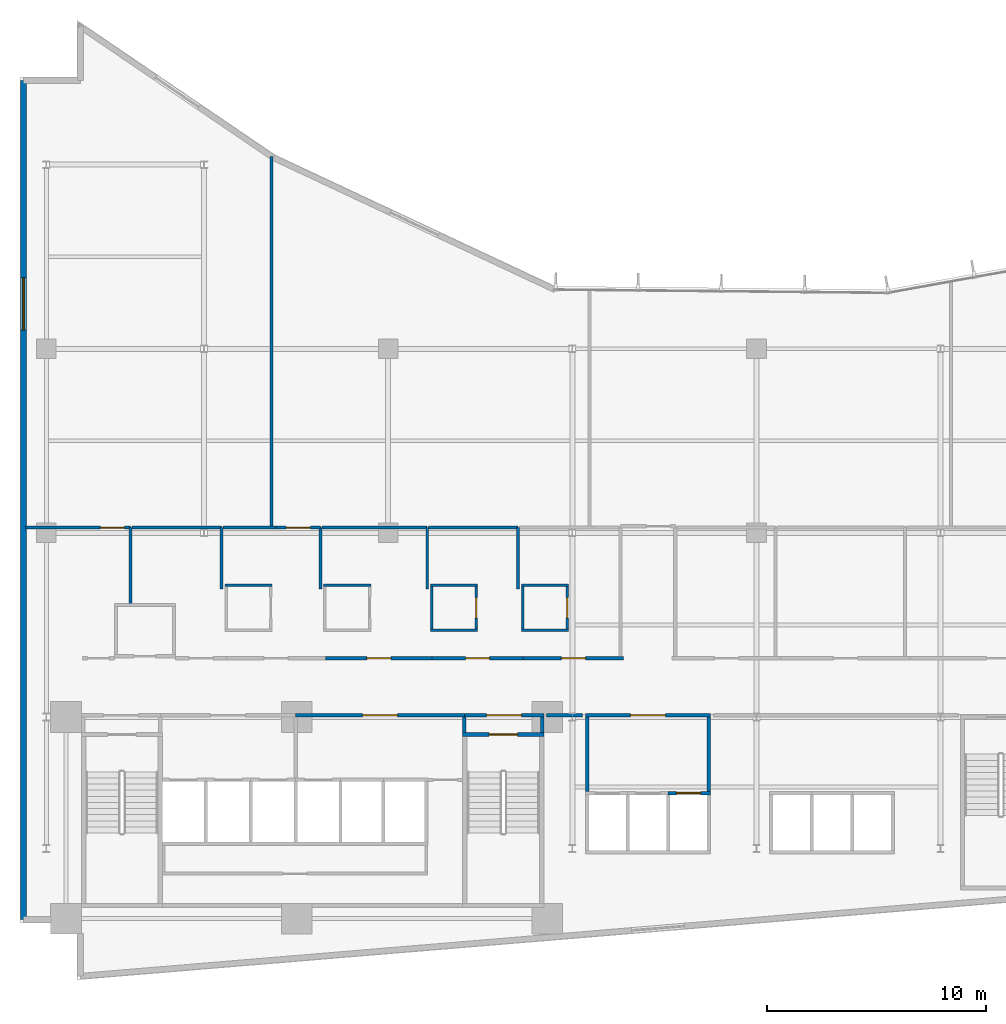
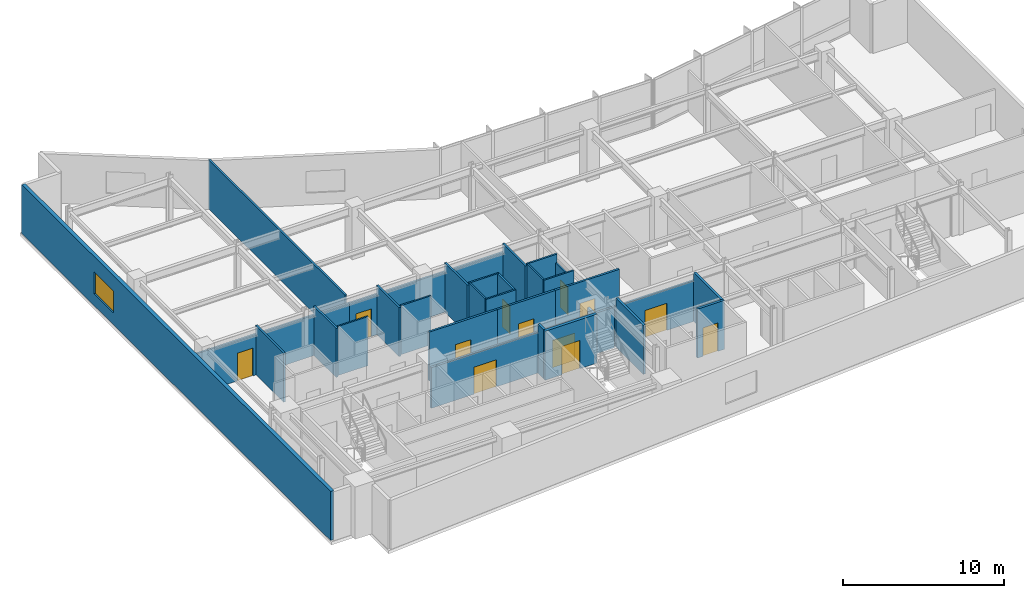
# One storey, part 11 of 18: 36 walls, 12 doors, 1 window, 13 openings.
"""IFC4 building model written with IfcOpenShell, lengths in metres."""

import ifcopenshell
import ifcopenshell.guid

model = None  # the IFC model being written
_history = None  # IfcOwnerHistory: only IFC2X3 demands one
_inside = {}  # id of a spatial element -> (the spatial element, [elements in it])
_under = {}  # id of a project, library or spatial element -> (it, [spatial elements below it])
_declared = {}  # id of a project -> (the project, [libraries it declares])
_typed = {}  # id of a type object -> (the type object, [elements of that type])
_made_of = {}  # id of a material, layer set ... -> (it, [elements and type objects made of it])


def new_model(schema):
    """Start an empty IFC model of exactly this schema.

    Asked for "IFC4X3", IfcOpenShell would pick the latest addendum, in which some entities
    have other attributes; the version numbers below select the first issue.
    IFC2X3 requires an IfcOwnerHistory on every rooted entity: one is made here for all.
    """
    global model, _history
    if schema == "IFC4X3":
        model = ifcopenshell.file(schema_version=(4, 3, 0, 0))
    else:
        model = ifcopenshell.file(schema=schema)
    _inside.clear()
    _under.clear()
    _declared.clear()
    _typed.clear()
    _made_of.clear()
    _history = None
    if model.schema == "IFC2X3":
        org = make("IfcOrganization", Name="unknown")
        user = make(
            "IfcPersonAndOrganization",
            ThePerson=make("IfcPerson", FamilyName="unknown"),
            TheOrganization=org,
        )
        app = make(
            "IfcApplication",
            ApplicationDeveloper=org,
            Version="unknown",
            ApplicationFullName="unknown",
            ApplicationIdentifier="unknown",
        )
        _history = make(
            "IfcOwnerHistory",
            OwningUser=user,
            OwningApplication=app,
            ChangeAction="ADDED",
            CreationDate=0,
        )
    return model


def make(cls, **values):
    """One entity of the class cls with the attributes given. An attribute that is None is left unset."""
    return model.create_entity(
        cls, **{name: value for name, value in values.items() if value is not None}
    )


def rooted(cls, **values):
    """An entity with a GlobalId (a new one), such as an element, a storey or a relation."""
    return make(cls, GlobalId=ifcopenshell.guid.new(), OwnerHistory=_history, **values)


def si_unit(unit_type, name, prefix=None):
    """IfcSIUnit, for example si_unit("LENGTHUNIT", "METRE", prefix="MILLI")."""
    return make("IfcSIUnit", UnitType=unit_type, Prefix=prefix, Name=name)


def assignment(units):
    """IfcUnitAssignment: the units of a project."""
    return None if units is None else make("IfcUnitAssignment", Units=units)


def point(xyz):
    """IfcCartesianPoint."""
    return None if xyz is None else make("IfcCartesianPoint", Coordinates=xyz)


def direction(xyz):
    """IfcDirection."""
    return None if xyz is None else make("IfcDirection", DirectionRatios=xyz)


def frame(location, z_axis=None, x_axis=None):
    """IfcAxis2Placement3D, a coordinate frame: its origin and axes. An axis left out is left unset."""
    return make(
        "IfcAxis2Placement3D",
        Location=point(location),
        Axis=direction(z_axis),
        RefDirection=direction(x_axis),
    )


def frame_2d(location, x_axis=None):
    """IfcAxis2Placement2D, a coordinate frame in the plane: its origin and x axis."""
    return make(
        "IfcAxis2Placement2D", Location=point(location), RefDirection=direction(x_axis)
    )


def origin():
    """The frame at (0, 0, 0) with its axes left unset."""
    return frame((0.0, 0.0, 0.0))


def place(relative_to, where):
    """IfcLocalPlacement: puts the frame where relative to a parent placement (None: the world)."""
    return make(
        "IfcLocalPlacement", PlacementRelTo=relative_to, RelativePlacement=where
    )


def context(
    kind, dimensions, precision=None, world=None, true_north=None, identifier=None
):
    """IfcGeometricRepresentationContext, for example the 3D "Model" context."""
    return make(
        "IfcGeometricRepresentationContext",
        ContextIdentifier=identifier,
        ContextType=kind,
        CoordinateSpaceDimension=dimensions,
        Precision=precision,
        WorldCoordinateSystem=world,
        TrueNorth=true_north,
    )


def subcontext(parent, identifier, kind, view, scale=None):
    """IfcGeometricRepresentationSubContext, for example "Body" below "Model"."""
    return make(
        "IfcGeometricRepresentationSubContext",
        ContextIdentifier=identifier,
        ContextType=kind,
        ParentContext=parent,
        TargetScale=scale,
        TargetView=view,
    )


def project(units=None, contexts=None):
    """IfcProject with its units and contexts."""
    return rooted(
        "IfcProject",
        Name="project",
        RepresentationContexts=contexts,
        UnitsInContext=assignment(units),
    )


def spatial(cls, under=None, at=None, **own):
    """A site, building, storey or space (cls), placed at a placement, below another one or the project."""
    s = rooted(cls, ObjectPlacement=at, **own)
    if under is not None:
        _under.setdefault(under.id(), (under, []))[1].append(s)
    return s


def profile(cls, at=None, kind="AREA", **sizes):
    """A parametric profile (cls). Its sizes go by their IFC names, for example OverallWidth=200.0."""
    return make(cls, ProfileType=kind, Position=at, **sizes)


def rectangle(**sizes):
    """IfcRectangleProfileDef."""
    return profile("IfcRectangleProfileDef", **sizes)


def extrude(swept, where, along, depth):
    """IfcExtrudedAreaSolid: the profile swept, set in the frame where, extruded along a direction by depth."""
    return make(
        "IfcExtrudedAreaSolid",
        SweptArea=swept,
        Position=where,
        ExtrudedDirection=direction(along),
        Depth=depth,
    )


def shape(context_of_items, identifier, shape_type, items):
    """IfcShapeRepresentation: the items that make up one representation, for example the "Body"."""
    return make(
        "IfcShapeRepresentation",
        ContextOfItems=context_of_items,
        RepresentationIdentifier=identifier,
        RepresentationType=shape_type,
        Items=items,
    )


def material(Name=None, Category=None):
    """IfcMaterial."""
    return make("IfcMaterial", Name=Name, Category=Category)


def layer(
    of_material, thickness, ventilated=None, Name=None, Category=None, Priority=None
):
    """IfcMaterialLayer: one layer of a wall or slab, of a material (None: an air gap)."""
    return make(
        "IfcMaterialLayer",
        Material=of_material,
        LayerThickness=thickness,
        IsVentilated=ventilated,
        Name=Name,
        Category=Category,
        Priority=Priority,
    )


def layer_set(layers, Name=None):
    """IfcMaterialLayerSet."""
    return make("IfcMaterialLayerSet", MaterialLayers=layers, LayerSetName=Name)


def made_of(thing, what):
    """Note that an element or type object is made of a material, layer set ...; save() writes the relation."""
    if what is not None:
        _made_of.setdefault(what.id(), (what, []))[1].append(thing)
    return thing


def type_object(cls, material=None, **own):
    """A type object (cls), such as IfcWallType, which elements share."""
    return made_of(rooted(cls, **own), material)


def element(
    cls,
    number,
    at=None,
    inside=None,
    cuts=None,
    type_object=None,
    material=None,
    context=None,
    identifier="Body",
    shape_type=None,
    held_by="IfcProductDefinitionShape",
    body=None,
    shapes=None,
    **own,
):
    """One element of the class cls, such as IfcWall. Its Tag is "e" and its number.

    at: its placement. inside: the storey or other place that contains it. cuts: it is an
    opening in that element (IfcRelVoidsElement). A single representation is given by context,
    identifier, shape_type and body (its items); several are given by shapes. held_by: the class
    of the entity that holds the representations. save() writes the other relations.
    """
    e = rooted(cls, Tag="e%d" % number, ObjectPlacement=at, **own)
    if body is not None:
        shapes = [shape(context, identifier, shape_type, body)]
    if shapes is not None:
        e.Representation = make(held_by, Representations=shapes)
    if inside is not None:
        _inside.setdefault(inside.id(), (inside, []))[1].append(e)
    if cuts is not None:
        rooted(
            "IfcRelVoidsElement", RelatingBuildingElement=cuts, RelatedOpeningElement=e
        )
    if type_object is not None:
        _typed.setdefault(type_object.id(), (type_object, []))[1].append(e)
    return made_of(e, material)


def fill(opening, filler):
    """IfcRelFillsElement: the door or window that sits in an opening."""
    return rooted(
        "IfcRelFillsElement",
        RelatingOpeningElement=opening,
        RelatedBuildingElement=filler,
    )


def aggregate(whole, parts):
    """IfcRelAggregates: a whole, such as a stair, and the parts it consists of."""
    return rooted("IfcRelAggregates", RelatingObject=whole, RelatedObjects=parts)


def save(model, path):
    """Write the relations noted so far, then the file.

    IfcRelAggregates (storeys below a building ...), IfcRelContainedInSpatialStructure (elements
    in a storey), IfcRelDefinesByType, IfcRelAssociatesMaterial and IfcRelDeclares: one each for
    every whole, place, type object, material and project.
    """
    for whole, parts in _under.values():
        aggregate(whole, parts)
    for where, things in _inside.values():
        rooted(
            "IfcRelContainedInSpatialStructure",
            RelatedElements=things,
            RelatingStructure=where,
        )
    for kind, things in _typed.values():
        rooted("IfcRelDefinesByType", RelatedObjects=things, RelatingType=kind)
    for what, things in _made_of.values():
        rooted("IfcRelAssociatesMaterial", RelatedObjects=things, RelatingMaterial=what)
    for by, libraries in _declared.values():
        rooted("IfcRelDeclares", RelatingContext=by, RelatedDefinitions=libraries)
    model.write(path)


model = new_model("IFC4")

# Units and contexts
model_context = context("Model", 3, precision=1e-05, world=origin(), true_north=direction((0.0, 1.0)))
body_context = subcontext(model_context, "Body", "Model", "MODEL_VIEW")
ifc_project = project(units=[si_unit("LENGTHUNIT", "METRE"), si_unit("AREAUNIT", "SQUARE_METRE"), si_unit("VOLUMEUNIT", "CUBIC_METRE"), si_unit("PLANEANGLEUNIT", "RADIAN"), si_unit("MASSUNIT", "GRAM", prefix="KILO")], contexts=[model_context])

# Site, building, storey
site_placement = place(None, origin())
site = spatial("IfcSite", under=ifc_project, at=site_placement, CompositionType="ELEMENT")
building_placement = place(site_placement, origin())
building = spatial("IfcBuilding", under=site, at=building_placement, Name="Varnakote Quay Hospital", CompositionType="ELEMENT")
storey_placement = place(building_placement, frame((0.0, 0.0, 69.89990234375)))
storey = spatial("IfcBuildingStorey", under=building, at=storey_placement, Name="L17", CompositionType="ELEMENT", Elevation=69.89990234375)

# Wall, opening, door
ifc_material_1 = material(Name="Fire-rated acoustic gypsum stud wall", Category="gypsum")
ifc_layer_1 = layer(ifc_material_1, 0.159912109375)
ifc_layer_set_1 = layer_set([ifc_layer_1], Name="Fire-rated acoustic gypsum stud wall")
wall_type_1 = type_object("IfcWallType", Name="WL-COMP-160", PredefinedType="PARTITIONING", material=ifc_layer_set_1)
wall_1_placement = place(storey_placement, frame((12.580078125, 12.080078125, 0.0), z_axis=(0.0, 0.0, 1.0), x_axis=(1.0, 0.0, 0.0)))
wall_1 = element("IfcWall", 1, at=wall_1_placement, inside=storey, type_object=wall_type_1, Name="L17 Clinical Bed Lift Lobby Wall", PredefinedType="PARTITIONING", context=body_context, shape_type="SweptSolid", body=[
    extrude(rectangle(XDim=7.699951171875, YDim=0.159912109375, at=frame_2d((3.85009765625, 0.0))), origin(), (0.0, 0.0, 1.0), 3.072998046875),
])
opening_1_placement = place(wall_1_placement, frame((3.050048828125, 0.0, 0.0)))
opening_1 = element("IfcOpeningElement", 2, at=opening_1_placement, cuts=wall_1, Name="Opening D-SVL-L17", PredefinedType="OPENING", context=body_context, shape_type="SweptSolid", body=[
    extrude(rectangle(XDim=1.60009765625, YDim=2.050048828125, at=frame_2d((0.800048828125, 1.02490234375))), frame((0.0, 0.08984375, 0.0), z_axis=(0.0, -1.0, 0.0), x_axis=(1.0, 0.0, 0.0)), (0.0, 0.0, 1.0), 0.179931640625),
])
ifc_material_2 = material(Name="Fire-rated double smoke lobby door")
door_type_1 = type_object("IfcDoorType", Name="DR-LOBBY-FD60S-1600x2150", OperationType="NOTDEFINED", PredefinedType="DOOR", material=ifc_material_2)
door_1_placement = place(opening_1_placement, origin())
door_1 = element("IfcDoor", 3, at=door_1_placement, inside=storey, type_object=door_type_1, Name="L17 Clinical Core Smoke Vestibule Door", OperationType="DOUBLE_DOOR_SINGLE_SWING", OverallHeight=2.050048828125, OverallWidth=1.60009765625, PredefinedType="DOOR", context=body_context, shape_type="SweptSolid", body=[
    extrude(rectangle(XDim=1.60009765625, YDim=2.050048828125, at=frame_2d((0.800048828125, 1.02490234375))), frame((0.0, 0.02490234375, 0.0), z_axis=(0.0, -1.0, 0.0), x_axis=(1.0, 0.0, 0.0)), (0.0, 0.0, 1.0), 0.050048828125),
])
fill(opening_1, door_1)

# Wall
wall_2_placement = place(storey_placement, frame((20.280029296875, 11.300048828125, 0.0), z_axis=(0.0, 0.0, 1.0), x_axis=(0.0, 1.0, 0.0)))
element("IfcWall", 4, at=wall_2_placement, inside=storey, type_object=wall_type_1, Name="L17 East Stair Vestibule Divider Wall", PredefinedType="PARTITIONING", context=body_context, shape_type="SweptSolid", body=[
    extrude(rectangle(XDim=0.699951171875, YDim=0.159912109375, at=frame_2d((0.35009765625, 0.0))), origin(), (0.0, 0.0, 1.0), 3.710205078125),
])

# Wall, opening, door
wall_3_placement = place(storey_placement, frame((20.280029296875, 12.080078125, 0.0), z_axis=(0.0, 0.0, 1.0), x_axis=(1.0, 0.0, 0.0)))
wall_3 = element("IfcWall", 5, at=wall_3_placement, inside=storey, type_object=wall_type_1, Name="L17 East Stair Vestibule Smoke Wall", PredefinedType="PARTITIONING", context=body_context, shape_type="SweptSolid", body=[
    extrude(rectangle(XDim=3.619873046875, YDim=0.159912109375, at=frame_2d((1.81005859375, 0.0))), origin(), (0.0, 0.0, 1.0), 3.072998046875),
])
opening_2_placement = place(wall_3_placement, frame((1.010009765625, 0.0, 0.0)))
opening_2 = element("IfcOpeningElement", 6, at=opening_2_placement, cuts=wall_3, Name="Opening D-ST2L-L17", PredefinedType="OPENING", context=body_context, shape_type="SweptSolid", body=[
    extrude(rectangle(XDim=1.60009765625, YDim=2.050048828125, at=frame_2d((0.800048828125, 1.02490234375))), frame((0.0, 0.08984375, 0.0), z_axis=(0.0, -1.0, 0.0), x_axis=(1.0, 0.0, 0.0)), (0.0, 0.0, 1.0), 0.179931640625),
])
door_2_placement = place(opening_2_placement, origin())
door_2 = element("IfcDoor", 7, at=door_2_placement, inside=storey, type_object=door_type_1, Name="L17 East Stair Vestibule Smoke Door", OperationType="DOUBLE_DOOR_SINGLE_SWING", OverallHeight=2.050048828125, OverallWidth=1.60009765625, PredefinedType="DOOR", context=body_context, shape_type="SweptSolid", body=[
    extrude(rectangle(XDim=1.60009765625, YDim=2.050048828125, at=frame_2d((0.800048828125, 1.02490234375))), frame((0.0, 0.02490234375, 0.0), z_axis=(0.0, -1.0, 0.0), x_axis=(1.0, 0.0, 0.0)), (0.0, 0.0, 1.0), 0.050048828125),
])
fill(opening_2, door_2)

# Walls
wall_4_placement = place(storey_placement, frame((23.820068359375, 11.300048828125, 0.0), z_axis=(0.0, 0.0, 1.0), x_axis=(0.0, 1.0, 0.0)))
element("IfcWall", 8, at=wall_4_placement, inside=storey, type_object=wall_type_1, Name="L17 East Stair Vestibule East Wall", PredefinedType="PARTITIONING", context=body_context, shape_type="SweptSolid", body=[
    extrude(rectangle(XDim=0.699951171875, YDim=0.159912109375, at=frame_2d((0.35009765625, 0.0))), origin(), (0.0, 0.0, 1.0), 3.710205078125),
])
for number, where, z_axis, x_axis, name in (
    (9, (25.8701171875, 8.610107421875, 0.0), (0.0, 0.0, 1.0), (0.0, 1.0, 0.0), "L17 Low-Rise Lift Lobby West Wall"),
    (10, (31.429931640625, 8.610107421875, 0.0), (0.0, 0.0, 1.0), (0.0, 1.0, 0.0), "L17 Low-Rise Lift Lobby East Wall"),
):
    element("IfcWall", number, at=place(storey_placement, frame(where, z_axis=z_axis, x_axis=x_axis)), inside=storey, type_object=wall_type_1, Name=name, PredefinedType="PARTITIONING", context=body_context, shape_type="SweptSolid", body=[
        extrude(rectangle(XDim=3.389892578125, YDim=0.159912109375, at=frame_2d((1.69482421875, 0.0))), origin(), (0.0, 0.0, 1.0), 3.710205078125),
    ])

# Wall, opening, door
wall_5_placement = place(storey_placement, frame((25.7900390625, 12.080078125, 0.0), z_axis=(0.0, 0.0, 1.0), x_axis=(1.0, 0.0, 0.0)))
wall_5 = element("IfcWall", 11, at=wall_5_placement, inside=storey, type_object=wall_type_1, Name="L17 Low-Rise Lift Lobby North Wall", PredefinedType="PARTITIONING", context=body_context, shape_type="SweptSolid", body=[
    extrude(rectangle(XDim=5.719970703125, YDim=0.159912109375, at=frame_2d((2.85986328125, 0.0))), origin(), (0.0, 0.0, 1.0), 3.072998046875),
])
opening_3_placement = place(wall_5_placement, frame((2.06005859375, 0.0, 0.0)))
opening_3 = element("IfcOpeningElement", 12, at=opening_3_placement, cuts=wall_5, Name="Opening D-PLL-L17", PredefinedType="OPENING", context=body_context, shape_type="SweptSolid", body=[
    extrude(rectangle(XDim=1.60009765625, YDim=2.050048828125, at=frame_2d((0.800048828125, 1.02490234375))), frame((0.0, 0.08984375, 0.0), z_axis=(0.0, -1.0, 0.0), x_axis=(1.0, 0.0, 0.0)), (0.0, 0.0, 1.0), 0.179931640625),
])
door_3_placement = place(opening_3_placement, origin())
door_3 = element("IfcDoor", 13, at=door_3_placement, inside=storey, type_object=door_type_1, Name="L17 Low-Rise Passenger Concourse Vestibule Door", OperationType="DOUBLE_DOOR_SINGLE_SWING", OverallHeight=2.050048828125, OverallWidth=1.60009765625, PredefinedType="DOOR", context=body_context, shape_type="SweptSolid", body=[
    extrude(rectangle(XDim=1.60009765625, YDim=2.050048828125, at=frame_2d((0.800048828125, 1.02490234375))), frame((0.0, 0.02490234375, 0.0), z_axis=(0.0, -1.0, 0.0), x_axis=(1.0, 0.0, 0.0)), (0.0, 0.0, 1.0), 0.050048828125),
])
fill(opening_3, door_3)

# Walls
wall_6_placement = place(storey_placement, frame((24.02001953125, 12.080078125, 0.0), z_axis=(0.0, 0.0, 1.0), x_axis=(1.0, 0.0, 0.0)))
element("IfcWall", 14, at=wall_6_placement, inside=storey, type_object=wall_type_1, Name="L17 Corridor South Gap Wall", PredefinedType="PARTITIONING", context=body_context, shape_type="SweptSolid", body=[
    extrude(rectangle(XDim=1.64990234375, YDim=0.159912109375, at=frame_2d((0.824951171875, 0.0))), origin(), (0.0, 0.0, 1.0), 3.072998046875),
])
ifc_material_3 = material(Name="Moisture-resistant bathroom partition", Category="gypsum")
ifc_layer_2 = layer(ifc_material_3, 0.114990234375)
ifc_layer_set_2 = layer_set([ifc_layer_2], Name="Moisture-resistant bathroom partition")
wall_type_2 = type_object("IfcWallType", Name="WL-ENS-115", PredefinedType="PARTITIONING", material=ifc_layer_set_2)
wall_7_placement = place(storey_placement, frame((9.344970703125, 18.017578125, 0.0), z_axis=(0.0, 0.0, 1.0), x_axis=(1.0, 0.0, 0.0)))
element("IfcWall", 15, at=wall_7_placement, inside=storey, type_object=wall_type_2, Name="L17 Inpatient En-Suite Bathroom 01 N Wall", PredefinedType="PARTITIONING", context=body_context, shape_type="SweptSolid", body=[
    extrude(rectangle(XDim=2.150146484375, YDim=0.114990234375, at=frame_2d((1.0751953125, 0.0))), origin(), (0.0, 0.0, 1.0), 3.710205078125),
])
for number, where, z_axis, x_axis, name in (
    (16, (13.85498046875, 18.017578125, 0.0), (0.0, 0.0, 1.0), (1.0, 0.0, 0.0), "L17 Inpatient En-Suite Bathroom 02 N Wall"),
    (17, (18.72509765625, 15.952392578125, 0.0), (0.0, 0.0, 1.0), (1.0, 0.0, 0.0), "L17 Inpatient En-Suite Bathroom 03 S Wall"),
    (18, (18.72509765625, 18.017578125, 0.0), (0.0, 0.0, 1.0), (1.0, 0.0, 0.0), "L17 Inpatient En-Suite Bathroom 03 N Wall"),
):
    element("IfcWall", number, at=place(storey_placement, frame(where, z_axis=z_axis, x_axis=x_axis)), inside=storey, type_object=wall_type_2, Name=name, PredefinedType="PARTITIONING", context=body_context, shape_type="SweptSolid", body=[
        extrude(rectangle(XDim=2.14990234375, YDim=0.114990234375, at=frame_2d((1.074951171875, 0.0))), origin(), (0.0, 0.0, 1.0), 3.710205078125),
    ])
wall_8_placement = place(storey_placement, frame((18.782470703125, 16.010009765625, 0.0), z_axis=(0.0, 0.0, 1.0), x_axis=(0.0, 1.0, 0.0)))
element("IfcWall", 19, at=wall_8_placement, inside=storey, type_object=wall_type_2, Name="L17 Inpatient En-Suite Bathroom 03 W Wall", PredefinedType="PARTITIONING", context=body_context, shape_type="SweptSolid", body=[
    extrude(rectangle(XDim=1.949951171875, YDim=0.114990234375, at=frame_2d((0.97509765625, 0.0))), origin(), (0.0, 0.0, 1.0), 3.710205078125),
])

# Wall, opening, door
wall_9_placement = place(storey_placement, frame((20.8173828125, 16.010009765625, 0.0), z_axis=(0.0, 0.0, 1.0), x_axis=(0.0, 1.0, 0.0)))
wall_9 = element("IfcWall", 20, at=wall_9_placement, inside=storey, type_object=wall_type_2, Name="L17 Inpatient En-Suite Bathroom 03 E Wall", PredefinedType="PARTITIONING", context=body_context, shape_type="SweptSolid", body=[
    extrude(rectangle(XDim=1.949951171875, YDim=0.114990234375, at=frame_2d((0.97509765625, 0.0))), origin(), (0.0, 0.0, 1.0), 3.710205078125),
])
opening_4_placement = place(wall_9_placement, frame((0.514892578125, 0.0, 0.0)))
opening_4 = element("IfcOpeningElement", 21, at=opening_4_placement, cuts=wall_9, Name="Opening D-L17-ENS03", PredefinedType="OPENING", context=body_context, shape_type="SweptSolid", body=[
    extrude(rectangle(XDim=0.919921875, YDim=2.10009765625, at=frame_2d((0.4599609375, 1.050048828125))), frame((0.0, 0.0673828125, 0.0), z_axis=(0.0, -1.0, 0.0), x_axis=(1.0, 0.0, 0.0)), (0.0, 0.0, 1.0), 0.135009765625),
])
ifc_material_4 = material(Name="Moisture-sealed en-suite bathroom door")
door_type_2 = type_object("IfcDoorType", Name="DR-ENS-920x2100", OperationType="NOTDEFINED", PredefinedType="DOOR", material=ifc_material_4)
door_4_placement = place(opening_4_placement, origin())
door_4 = element("IfcDoor", 22, at=door_4_placement, inside=storey, type_object=door_type_2, Name="L17 Inpatient En-Suite Bathroom 03 Door", OperationType="SINGLE_SWING_LEFT", OverallHeight=2.10009765625, OverallWidth=0.919921875, PredefinedType="DOOR", context=body_context, shape_type="SweptSolid", body=[
    extrude(rectangle(XDim=0.919921875, YDim=2.10009765625, at=frame_2d((0.4599609375, 1.050048828125))), frame((0.0, 0.02490234375, 0.0), z_axis=(0.0, -1.0, 0.0), x_axis=(1.0, 0.0, 0.0)), (0.0, 0.0, 1.0), 0.050048828125),
])
fill(opening_4, door_4)

# Walls
for number, where, z_axis, x_axis, name in (
    (23, (22.875, 15.952392578125, 0.0), (0.0, 0.0, 1.0), (1.0, 0.0, 0.0), "L17 Inpatient En-Suite Bathroom 04 S Wall"),
    (24, (22.875, 18.017578125, 0.0), (0.0, 0.0, 1.0), (1.0, 0.0, 0.0), "L17 Inpatient En-Suite Bathroom 04 N Wall"),
):
    element("IfcWall", number, at=place(storey_placement, frame(where, z_axis=z_axis, x_axis=x_axis)), inside=storey, type_object=wall_type_2, Name=name, PredefinedType="PARTITIONING", context=body_context, shape_type="SweptSolid", body=[
        extrude(rectangle(XDim=2.14990234375, YDim=0.114990234375, at=frame_2d((1.074951171875, 0.0))), origin(), (0.0, 0.0, 1.0), 3.710205078125),
    ])
wall_10_placement = place(storey_placement, frame((22.9326171875, 16.010009765625, 0.0), z_axis=(0.0, 0.0, 1.0), x_axis=(0.0, 1.0, 0.0)))
element("IfcWall", 25, at=wall_10_placement, inside=storey, type_object=wall_type_2, Name="L17 Inpatient En-Suite Bathroom 04 W Wall", PredefinedType="PARTITIONING", context=body_context, shape_type="SweptSolid", body=[
    extrude(rectangle(XDim=1.949951171875, YDim=0.114990234375, at=frame_2d((0.97509765625, 0.0))), origin(), (0.0, 0.0, 1.0), 3.710205078125),
])

# Wall, opening, door
wall_11_placement = place(storey_placement, frame((24.967529296875, 16.010009765625, 0.0), z_axis=(0.0, 0.0, 1.0), x_axis=(0.0, 1.0, 0.0)))
wall_11 = element("IfcWall", 26, at=wall_11_placement, inside=storey, type_object=wall_type_2, Name="L17 Inpatient En-Suite Bathroom 04 E Wall", PredefinedType="PARTITIONING", context=body_context, shape_type="SweptSolid", body=[
    extrude(rectangle(XDim=1.949951171875, YDim=0.114990234375, at=frame_2d((0.97509765625, 0.0))), origin(), (0.0, 0.0, 1.0), 3.072998046875),
])
opening_5_placement = place(wall_11_placement, frame((0.514892578125, 0.0, 0.0)))
opening_5 = element("IfcOpeningElement", 27, at=opening_5_placement, cuts=wall_11, Name="Opening D-L17-ENS04", PredefinedType="OPENING", context=body_context, shape_type="SweptSolid", body=[
    extrude(rectangle(XDim=0.919921875, YDim=2.10009765625, at=frame_2d((0.4599609375, 1.050048828125))), frame((0.0, 0.0673828125, 0.0), z_axis=(0.0, -1.0, 0.0), x_axis=(1.0, 0.0, 0.0)), (0.0, 0.0, 1.0), 0.135009765625),
])
door_5_placement = place(opening_5_placement, origin())
door_5 = element("IfcDoor", 28, at=door_5_placement, inside=storey, type_object=door_type_2, Name="L17 Inpatient En-Suite Bathroom 04 Door", OperationType="SINGLE_SWING_RIGHT", OverallHeight=2.10009765625, OverallWidth=0.919921875, PredefinedType="DOOR", context=body_context, shape_type="SweptSolid", body=[
    extrude(rectangle(XDim=0.919921875, YDim=2.10009765625, at=frame_2d((0.4599609375, 1.050048828125))), frame((0.0, 0.02490234375, 0.0), z_axis=(0.0, -1.0, 0.0), x_axis=(1.0, 0.0, 0.0)), (0.0, 0.0, 1.0), 0.050048828125),
])
fill(opening_5, door_5)

# Wall, opening, window
ifc_material_5 = material(Name="Precast concrete N50 (f'c 50 MPa)", Category="concrete")
ifc_layer_3 = layer(ifc_material_5, 0.260009765625)
ifc_layer_set_3 = layer_set([ifc_layer_3], Name="Precast concrete N50 (f'c 50 MPa)")
wall_type_3 = type_object("IfcWallType", Name="WL-EXT-BRICK-260", PredefinedType="STANDARD", material=ifc_layer_set_3)
wall_12_placement = place(storey_placement, frame((0.159912109375, 41.0400390625, 0.0), z_axis=(0.0, 0.0, 1.0), x_axis=(0.0, -1.0, 0.0)))
wall_12 = element("IfcWall", 29, at=wall_12_placement, inside=storey, type_object=wall_type_3, Name="L17 Brick-Faced Precast Exterior Wall", PredefinedType="STANDARD", context=body_context, shape_type="SweptSolid", body=[
    extrude(rectangle(XDim=38.280029296875, YDim=0.260009765625, at=frame_2d((19.14013671875, 0.0))), origin(), (0.0, 0.0, 1.0), 3.710205078125),
])
opening_6_placement = place(wall_12_placement, frame((8.989990234375, 0.0, 0.89990234375)))
opening_6 = element("IfcOpeningElement", 30, at=opening_6_placement, cuts=wall_12, Name="Opening WN-0085", PredefinedType="OPENING", context=body_context, shape_type="SweptSolid", body=[
    extrude(rectangle(XDim=2.39990234375, YDim=1.64990234375, at=frame_2d((1.199951171875, 0.824951171875))), frame((0.0, 0.139892578125, 0.0), z_axis=(0.0, -1.0, 0.0), x_axis=(1.0, 0.0, 0.0)), (0.0, 0.0, 1.0), 0.280029296875),
])
ifc_material_6 = material(Name="Double-glazed low-E solar glass", Category="glass")
window_type = type_object("IfcWindowType", Name="WIN-CLIN-2400x1650", PartitioningType="SINGLE_PANEL", PredefinedType="WINDOW", material=ifc_material_6)
window_placement = place(opening_6_placement, origin())
window = element("IfcWindow", 31, at=window_placement, inside=storey, type_object=window_type, Name="L17 Solar-Control Clinical Window", OverallHeight=1.64990234375, OverallWidth=2.39990234375, PartitioningType="SINGLE_PANEL", PredefinedType="WINDOW", context=body_context, shape_type="SweptSolid", body=[
    extrude(rectangle(XDim=2.39990234375, YDim=1.64990234375, at=frame_2d((1.199951171875, 0.824951171875))), frame((0.0, 0.030029296875, 0.0), z_axis=(0.0, -1.0, 0.0), x_axis=(1.0, 0.0, 0.0)), (0.0, 0.0, 1.0), 0.06005859375),
])
fill(opening_6, window)

# Wall, opening, door
ifc_material_7 = material(Name="Concrete N50 (f'c 50 MPa)", Category="concrete")
ifc_layer_4 = layer(ifc_material_7, 0.159912109375)
ifc_layer_set_4 = layer_set([ifc_layer_4], Name="Concrete N50 (f'c 50 MPa)")
wall_type_4 = type_object("IfcWallType", Name="WL-SHAFT-N50-160", PredefinedType="SHEAR", material=ifc_layer_set_4)
wall_13_placement = place(storey_placement, frame((29.574951171875, 8.530029296875, 0.0), z_axis=(0.0, 0.0, 1.0), x_axis=(1.0, 0.0, 0.0)))
wall_13 = element("IfcWall", 32, at=wall_13_placement, inside=storey, type_object=wall_type_4, Name="L17 LF-PL3 Hoistway Front Wall", PredefinedType="SHEAR", context=body_context, shape_type="SweptSolid", body=[
    extrude(rectangle(XDim=1.93505859375, YDim=0.159912109375, at=frame_2d((0.967529296875, 0.0))), origin(), (0.0, 0.0, 1.0), 3.710205078125),
])
opening_7_placement = place(wall_13_placement, frame((0.375, 0.0, 0.0)))
opening_7 = element("IfcOpeningElement", 33, at=opening_7_placement, cuts=wall_13, Name="Opening LD-PL3-L17", PredefinedType="OPENING", context=body_context, shape_type="SweptSolid", body=[
    extrude(rectangle(XDim=1.10009765625, YDim=2.14990234375, at=frame_2d((0.550048828125, 1.074951171875))), frame((0.0, 0.08984375, 0.0), z_axis=(0.0, -1.0, 0.0), x_axis=(1.0, 0.0, 0.0)), (0.0, 0.0, 1.0), 0.179931640625),
])
ifc_material_8 = material(Name="Brushed bronze lift landing sliding door")
door_type_3 = type_object("IfcDoorType", Name="DR-LIFT-LD-1100x2150", OperationType="NOTDEFINED", PredefinedType="DOOR", material=ifc_material_8)
door_6_placement = place(opening_7_placement, origin())
door_6 = element("IfcDoor", 34, at=door_6_placement, inside=storey, type_object=door_type_3, Name="L17 LF-PL3 Lift Landing Sliding Door", OperationType="SLIDING_TO_LEFT", OverallHeight=2.14990234375, OverallWidth=1.10009765625, PredefinedType="DOOR", context=body_context, shape_type="SweptSolid", body=[
    extrude(rectangle(XDim=1.10009765625, YDim=2.14990234375, at=frame_2d((0.550048828125, 1.074951171875))), frame((0.0, 0.02490234375, 0.0), z_axis=(0.0, -1.0, 0.0), x_axis=(1.0, 0.0, 0.0)), (0.0, 0.0, 1.0), 0.050048828125),
])
fill(opening_7, door_6)

ifc_material_9 = material(Name="Concrete N50 (f'c 50 MPa)", Category="concrete")
ifc_layer_5 = layer(ifc_material_9, 0.199951171875)
ifc_layer_set_5 = layer_set([ifc_layer_5], Name="Concrete N50 (f'c 50 MPa)")
wall_type_5 = type_object("IfcWallType", Name="WL-SHAFT-N50-200", PredefinedType="SHEAR", material=ifc_layer_set_5)
wall_14_placement = place(storey_placement, frame((20.199951171875, 11.199951171875, 0.0), z_axis=(0.0, 0.0, 1.0), x_axis=(1.0, 0.0, 0.0)))
wall_14 = element("IfcWall", 35, at=wall_14_placement, inside=storey, type_object=wall_type_5, Name="L17 Stair ST2 Exit Wall", PredefinedType="SHEAR", context=body_context, shape_type="SweptSolid", body=[
    extrude(rectangle(XDim=3.699951171875, YDim=0.199951171875, at=frame_2d((1.85009765625, 0.0))), origin(), (0.0, 0.0, 1.0), 3.710205078125),
])
opening_8_placement = place(wall_14_placement, frame((1.199951171875, 0.0, 0.0)))
opening_8 = element("IfcOpeningElement", 36, at=opening_8_placement, cuts=wall_14, Name="Opening D-ST2-L17", PredefinedType="OPENING", context=body_context, shape_type="SweptSolid", body=[
    extrude(rectangle(XDim=1.300048828125, YDim=2.14990234375, at=frame_2d((0.64990234375, 1.074951171875))), frame((0.0, 0.10986328125, 0.0), z_axis=(0.0, -1.0, 0.0), x_axis=(1.0, 0.0, 0.0)), (0.0, 0.0, 1.0), 0.219970703125),
])
ifc_material_10 = material(Name="Fire-rated ceramic-glazed timber exit door", Category="wood")
door_type_4 = type_object("IfcDoorType", Name="DR-STAIR-FD60S-1300x2150", OperationType="NOTDEFINED", PredefinedType="DOOR", material=ifc_material_10)
door_7_placement = place(opening_8_placement, origin())
door_7 = element("IfcDoor", 37, at=door_7_placement, inside=storey, type_object=door_type_4, Name="L17 Stair ST2 Fire Exit Door", OperationType="SINGLE_SWING_RIGHT", OverallHeight=2.14990234375, OverallWidth=1.300048828125, PredefinedType="DOOR", context=body_context, shape_type="SweptSolid", body=[
    extrude(rectangle(XDim=1.300048828125, YDim=2.14990234375, at=frame_2d((0.64990234375, 1.074951171875))), frame((0.0, 0.02490234375, 0.0), z_axis=(0.0, -1.0, 0.0), x_axis=(1.0, 0.0, 0.0)), (0.0, 0.0, 1.0), 0.050048828125),
])
fill(opening_8, door_7)

# Wall
ifc_material_11 = material(Name="Smoke-proof clinical partition", Category="gypsum")
ifc_layer_6 = layer(ifc_material_11, 0.135009765625)
ifc_layer_set_6 = layer_set([ifc_layer_6], Name="Smoke-proof clinical partition")
wall_type_6 = type_object("IfcWallType", Name="WL-SMOKE-135", PredefinedType="PARTITIONING", material=ifc_layer_set_6)
wall_15_placement = place(storey_placement, frame((5.050048828125, 17.139892578125, 0.0), z_axis=(0.0, 0.0, 1.0), x_axis=(0.0, 1.0, 0.0)))
element("IfcWall", 38, at=wall_15_placement, inside=storey, type_object=wall_type_6, Name="L17 Clinical Interior Partition", PredefinedType="PARTITIONING", context=body_context, shape_type="SweptSolid", body=[
    extrude(rectangle(XDim=3.5, YDim=0.135009765625, at=frame_2d((1.75, 0.0))), origin(), (0.0, 0.0, 1.0), 3.710205078125),
])

# Wall, opening, door
wall_16_placement = place(storey_placement, frame((5.050048828125, 20.639892578125, 0.0), z_axis=(0.0, 0.0, 1.0), x_axis=(-1.0, 0.0, 0.0)))
wall_16 = element("IfcWall", 39, at=wall_16_placement, inside=storey, type_object=wall_type_6, Name="L17 Clinical Interior Partition", PredefinedType="PARTITIONING", context=body_context, shape_type="SweptSolid", body=[
    extrude(rectangle(XDim=4.81005859375, YDim=0.135009765625, at=frame_2d((2.405029296875, 0.0))), origin(), (0.0, 0.0, 1.0), 3.072998046875),
])
opening_9_placement = place(wall_16_placement, frame((0.28271484375, 0.0, 0.0)))
opening_9 = element("IfcOpeningElement", 40, at=opening_9_placement, cuts=wall_16, Name="Opening D-L17-MD06", PredefinedType="OPENING", context=body_context, shape_type="SweptSolid", body=[
    extrude(rectangle(XDim=1.10009765625, YDim=2.10009765625, at=frame_2d((0.550048828125, 1.050048828125))), frame((0.0, 0.077392578125, 0.0), z_axis=(0.0, -1.0, 0.0), x_axis=(1.0, 0.0, 0.0)), (0.0, 0.0, 1.0), 0.155029296875),
])
ifc_material_12 = material(Name="Acoustic timber clinical consult door", Category="wood")
door_type_5 = type_object("IfcDoorType", Name="DR-CLIN-FD30S-1100x2100", OperationType="NOTDEFINED", PredefinedType="DOOR", material=ifc_material_12)
door_8_placement = place(opening_9_placement, origin())
door_8 = element("IfcDoor", 41, at=door_8_placement, inside=storey, type_object=door_type_5, Name="L17 Allied Health Teaching Laboratory Door", OperationType="SINGLE_SWING_LEFT", OverallHeight=2.10009765625, OverallWidth=1.10009765625, PredefinedType="DOOR", context=body_context, shape_type="SweptSolid", body=[
    extrude(rectangle(XDim=1.10009765625, YDim=2.10009765625, at=frame_2d((0.550048828125, 1.050048828125))), frame((0.0, 0.02490234375, 0.0), z_axis=(0.0, -1.0, 0.0), x_axis=(1.0, 0.0, 0.0)), (0.0, 0.0, 1.0), 0.050048828125),
])
fill(opening_9, door_8)

# Walls
wall_17_placement = place(storey_placement, frame((9.199951171875, 17.83251953125, 0.0), z_axis=(0.0, 0.0, 1.0), x_axis=(0.0, 1.0, 0.0)))
element("IfcWall", 42, at=wall_17_placement, inside=storey, type_object=wall_type_6, Name="L17 Clinical Interior Partition", PredefinedType="PARTITIONING", context=body_context, shape_type="SweptSolid", body=[
    extrude(rectangle(XDim=2.807373046875, YDim=0.135009765625, at=frame_2d((1.40380859375, 0.0))), origin(), (0.0, 0.0, 1.0), 3.710205078125),
])
wall_18_placement = place(storey_placement, frame((9.199951171875, 20.639892578125, 0.0), z_axis=(0.0, 0.0, 1.0), x_axis=(-1.0, 0.0, 0.0)))
element("IfcWall", 43, at=wall_18_placement, inside=storey, type_object=wall_type_6, Name="L17 Clinical Interior Partition", PredefinedType="PARTITIONING", context=body_context, shape_type="SweptSolid", body=[
    extrude(rectangle(XDim=4.092529296875, YDim=0.135009765625, at=frame_2d((2.04638671875, 0.0))), origin(), (0.0, 0.0, 1.0), 3.072998046875),
])
wall_19_placement = place(storey_placement, frame((13.7099609375, 17.83251953125, 0.0), z_axis=(0.0, 0.0, 1.0), x_axis=(0.0, 1.0, 0.0)))
element("IfcWall", 44, at=wall_19_placement, inside=storey, type_object=wall_type_6, Name="L17 Clinical Interior Partition", PredefinedType="PARTITIONING", context=body_context, shape_type="SweptSolid", body=[
    extrude(rectangle(XDim=2.807373046875, YDim=0.135009765625, at=frame_2d((1.40380859375, 0.0))), origin(), (0.0, 0.0, 1.0), 3.710205078125),
])
wall_20_placement = place(storey_placement, frame((11.677490234375, 20.639892578125, 0.0), z_axis=(0.0, 0.0, 1.0), x_axis=(-1.0, 0.0, 0.0)))
element("IfcWall", 45, at=wall_20_placement, inside=storey, type_object=wall_type_6, Name="L17 Clinical Interior Partition", PredefinedType="PARTITIONING", context=body_context, shape_type="SweptSolid", body=[
    extrude(rectangle(XDim=2.419921875, YDim=0.135009765625, at=frame_2d((1.2099609375, 0.0))), origin(), (0.0, 0.0, 1.0), 3.072998046875),
])

# Wall, opening, door
wall_21_placement = place(storey_placement, frame((13.7099609375, 20.639892578125, 0.0), z_axis=(0.0, 0.0, 1.0), x_axis=(-1.0, 0.0, 0.0)))
wall_21 = element("IfcWall", 46, at=wall_21_placement, inside=storey, type_object=wall_type_6, Name="L17 Clinical Interior Partition", PredefinedType="PARTITIONING", context=body_context, shape_type="SweptSolid", body=[
    extrude(rectangle(XDim=2.030517578125, YDim=0.135009765625, at=frame_2d((1.01513671875, 0.0))), origin(), (0.0, 0.0, 1.0), 3.072998046875),
])
opening_10_placement = place(wall_21_placement, frame((0.465087890625, 0.0, 0.0)))
opening_10 = element("IfcOpeningElement", 47, at=opening_10_placement, cuts=wall_21, Name="Opening D-L17-MD07", PredefinedType="OPENING", context=body_context, shape_type="SweptSolid", body=[
    extrude(rectangle(XDim=1.10009765625, YDim=2.10009765625, at=frame_2d((0.550048828125, 1.050048828125))), frame((0.0, 0.077392578125, 0.0), z_axis=(0.0, -1.0, 0.0), x_axis=(1.0, 0.0, 0.0)), (0.0, 0.0, 1.0), 0.155029296875),
])
door_9_placement = place(opening_10_placement, origin())
door_9 = element("IfcDoor", 48, at=door_9_placement, inside=storey, type_object=door_type_5, Name="L17 Nursing Education Meeting Room Door", OperationType="SINGLE_SWING_RIGHT", OverallHeight=2.10009765625, OverallWidth=1.10009765625, PredefinedType="DOOR", context=body_context, shape_type="SweptSolid", body=[
    extrude(rectangle(XDim=1.10009765625, YDim=2.10009765625, at=frame_2d((0.550048828125, 1.050048828125))), frame((0.0, 0.02490234375, 0.0), z_axis=(0.0, -1.0, 0.0), x_axis=(1.0, 0.0, 0.0)), (0.0, 0.0, 1.0), 0.050048828125),
])
fill(opening_10, door_9)

# Walls
wall_22_placement = place(storey_placement, frame((18.580078125, 17.83251953125, 0.0), z_axis=(0.0, 0.0, 1.0), x_axis=(0.0, 1.0, 0.0)))
element("IfcWall", 49, at=wall_22_placement, inside=storey, type_object=wall_type_6, Name="L17 Clinical Interior Partition", PredefinedType="PARTITIONING", context=body_context, shape_type="SweptSolid", body=[
    extrude(rectangle(XDim=2.807373046875, YDim=0.135009765625, at=frame_2d((1.40380859375, 0.0))), origin(), (0.0, 0.0, 1.0), 3.710205078125),
])
wall_23_placement = place(storey_placement, frame((18.580078125, 20.639892578125, 0.0), z_axis=(0.0, 0.0, 1.0), x_axis=(-1.0, 0.0, 0.0)))
element("IfcWall", 50, at=wall_23_placement, inside=storey, type_object=wall_type_6, Name="L17 Clinical Interior Partition", PredefinedType="PARTITIONING", context=body_context, shape_type="SweptSolid", body=[
    extrude(rectangle(XDim=4.8125, YDim=0.135009765625, at=frame_2d((2.40625, 0.0))), origin(), (0.0, 0.0, 1.0), 3.072998046875),
])
wall_24_placement = place(storey_placement, frame((22.72998046875, 17.83251953125, 0.0), z_axis=(0.0, 0.0, 1.0), x_axis=(0.0, 1.0, 0.0)))
element("IfcWall", 51, at=wall_24_placement, inside=storey, type_object=wall_type_6, Name="L17 Clinical Interior Partition", PredefinedType="PARTITIONING", context=body_context, shape_type="SweptSolid", body=[
    extrude(rectangle(XDim=2.807373046875, YDim=0.135009765625, at=frame_2d((1.40380859375, 0.0))), origin(), (0.0, 0.0, 1.0), 3.710205078125),
])
wall_25_placement = place(storey_placement, frame((22.72998046875, 20.639892578125, 0.0), z_axis=(0.0, 0.0, 1.0), x_axis=(-1.0, 0.0, 0.0)))
element("IfcWall", 52, at=wall_25_placement, inside=storey, type_object=wall_type_6, Name="L17 Clinical Interior Partition", PredefinedType="PARTITIONING", context=body_context, shape_type="SweptSolid", body=[
    extrude(rectangle(XDim=4.092529296875, YDim=0.135009765625, at=frame_2d((2.04638671875, 0.0))), origin(), (0.0, 0.0, 1.0), 3.072998046875),
])
wall_26_placement = place(storey_placement, frame((11.469970703125, 20.697509765625, 0.0), z_axis=(0.0, 0.0, 1.0), x_axis=(0.0, 1.0, 0.0)))
element("IfcWall", 53, at=wall_26_placement, inside=storey, type_object=wall_type_6, Name="L17 Clinical Interior Partition", PredefinedType="PARTITIONING", context=body_context, shape_type="SweptSolid", body=[
    extrude(rectangle(XDim=16.880615234375, YDim=0.135009765625, at=frame_2d((8.4404296875, 0.0))), origin(), (0.0, 0.0, 1.0), 3.710205078125),
])

# Wall, opening, door
ifc_material_13 = material(Name="Fire-rated clinical gypsum partition", Category="gypsum")
ifc_layer_7 = layer(ifc_material_13, 0.14990234375)
ifc_layer_set_7 = layer_set([ifc_layer_7], Name="Fire-rated clinical gypsum partition")
wall_type_7 = type_object("IfcWallType", Name="WL-WARD-150", PredefinedType="PARTITIONING", material=ifc_layer_set_7)
wall_27_placement = place(storey_placement, frame((18.805908203125, 14.679931640625, 0.0), z_axis=(0.0, 0.0, 1.0), x_axis=(-1.0, 0.0, 0.0)))
wall_27 = element("IfcWall", 54, at=wall_27_placement, inside=storey, type_object=wall_type_7, Name="L17 Clinical Interior Partition", PredefinedType="PARTITIONING", context=body_context, shape_type="SweptSolid", body=[
    extrude(rectangle(XDim=4.867919921875, YDim=0.14990234375, at=frame_2d((2.43408203125, 0.0))), origin(), (0.0, 0.0, 1.0), 3.710205078125),
])
opening_11_placement = place(wall_27_placement, frame((1.884033203125, 0.0, 0.0)))
opening_11 = element("IfcOpeningElement", 55, at=opening_11_placement, cuts=wall_27, Name="Opening D-L17-BR02", PredefinedType="OPENING", context=body_context, shape_type="SweptSolid", body=[
    extrude(rectangle(XDim=1.10009765625, YDim=2.10009765625, at=frame_2d((0.550048828125, 1.050048828125))), frame((0.0, 0.0849609375, 0.0), z_axis=(0.0, -1.0, 0.0), x_axis=(1.0, 0.0, 0.0)), (0.0, 0.0, 1.0), 0.169921875),
])
door_10_placement = place(opening_11_placement, origin())
door_10 = element("IfcDoor", 56, at=door_10_placement, inside=storey, type_object=door_type_5, Name="L17 Inpatient Clinical Treatment Room 02 Door", OperationType="SINGLE_SWING_LEFT", OverallHeight=2.10009765625, OverallWidth=1.10009765625, PredefinedType="DOOR", context=body_context, shape_type="SweptSolid", body=[
    extrude(rectangle(XDim=1.10009765625, YDim=2.10009765625, at=frame_2d((0.550048828125, 1.050048828125))), frame((0.0, 0.02490234375, 0.0), z_axis=(0.0, -1.0, 0.0), x_axis=(1.0, 0.0, 0.0)), (0.0, 0.0, 1.0), 0.050048828125),
])
fill(opening_11, door_10)

wall_28_placement = place(storey_placement, frame((22.9560546875, 14.679931640625, 0.0), z_axis=(0.0, 0.0, 1.0), x_axis=(-1.0, 0.0, 0.0)))
wall_28 = element("IfcWall", 57, at=wall_28_placement, inside=storey, type_object=wall_type_7, Name="L17 Clinical Interior Partition", PredefinedType="PARTITIONING", context=body_context, shape_type="SweptSolid", body=[
    extrude(rectangle(XDim=4.14794921875, YDim=0.14990234375, at=frame_2d((2.073974609375, 0.0))), origin(), (0.0, 0.0, 1.0), 3.710205078125),
])
opening_12_placement = place(wall_28_placement, frame((1.52392578125, 0.0, 0.0)))
opening_12 = element("IfcOpeningElement", 58, at=opening_12_placement, cuts=wall_28, Name="Opening D-L17-BR03", PredefinedType="OPENING", context=body_context, shape_type="SweptSolid", body=[
    extrude(rectangle(XDim=1.10009765625, YDim=2.10009765625, at=frame_2d((0.550048828125, 1.050048828125))), frame((0.0, 0.0849609375, 0.0), z_axis=(0.0, -1.0, 0.0), x_axis=(1.0, 0.0, 0.0)), (0.0, 0.0, 1.0), 0.169921875),
])
door_11_placement = place(opening_12_placement, origin())
door_11 = element("IfcDoor", 59, at=door_11_placement, inside=storey, type_object=door_type_5, Name="L17 Inpatient Clinical Treatment Room 03 Door", OperationType="SINGLE_SWING_RIGHT", OverallHeight=2.10009765625, OverallWidth=1.10009765625, PredefinedType="DOOR", context=body_context, shape_type="SweptSolid", body=[
    extrude(rectangle(XDim=1.10009765625, YDim=2.10009765625, at=frame_2d((0.550048828125, 1.050048828125))), frame((0.0, 0.02490234375, 0.0), z_axis=(0.0, -1.0, 0.0), x_axis=(1.0, 0.0, 0.0)), (0.0, 0.0, 1.0), 0.050048828125),
])
fill(opening_12, door_11)

wall_29_placement = place(storey_placement, frame((27.5458984375, 14.679931640625, 0.0), z_axis=(0.0, 0.0, 1.0), x_axis=(-1.0, 0.0, 0.0)))
wall_29 = element("IfcWall", 60, at=wall_29_placement, inside=storey, type_object=wall_type_7, Name="L17 Clinical Interior Partition", PredefinedType="PARTITIONING", context=body_context, shape_type="SweptSolid", body=[
    extrude(rectangle(XDim=4.587890625, YDim=0.14990234375, at=frame_2d((2.2939453125, 0.0))), origin(), (0.0, 0.0, 1.0), 3.710205078125),
])
opening_13_placement = place(wall_29_placement, frame((1.743896484375, 0.0, 0.0)))
opening_13 = element("IfcOpeningElement", 61, at=opening_13_placement, cuts=wall_29, Name="Opening D-L17-BR04", PredefinedType="OPENING", context=body_context, shape_type="SweptSolid", body=[
    extrude(rectangle(XDim=1.10009765625, YDim=2.10009765625, at=frame_2d((0.550048828125, 1.050048828125))), frame((0.0, 0.0849609375, 0.0), z_axis=(0.0, -1.0, 0.0), x_axis=(1.0, 0.0, 0.0)), (0.0, 0.0, 1.0), 0.169921875),
])
door_12_placement = place(opening_13_placement, origin())
door_12 = element("IfcDoor", 62, at=door_12_placement, inside=storey, type_object=door_type_5, Name="L17 Inpatient Clinical Treatment Room 04 Door", OperationType="SINGLE_SWING_LEFT", OverallHeight=2.10009765625, OverallWidth=1.10009765625, PredefinedType="DOOR", context=body_context, shape_type="SweptSolid", body=[
    extrude(rectangle(XDim=1.10009765625, YDim=2.10009765625, at=frame_2d((0.550048828125, 1.050048828125))), frame((0.0, 0.02490234375, 0.0), z_axis=(0.0, -1.0, 0.0), x_axis=(1.0, 0.0, 0.0)), (0.0, 0.0, 1.0), 0.050048828125),
])
fill(opening_13, door_12)

save(model, "model.ifc")
